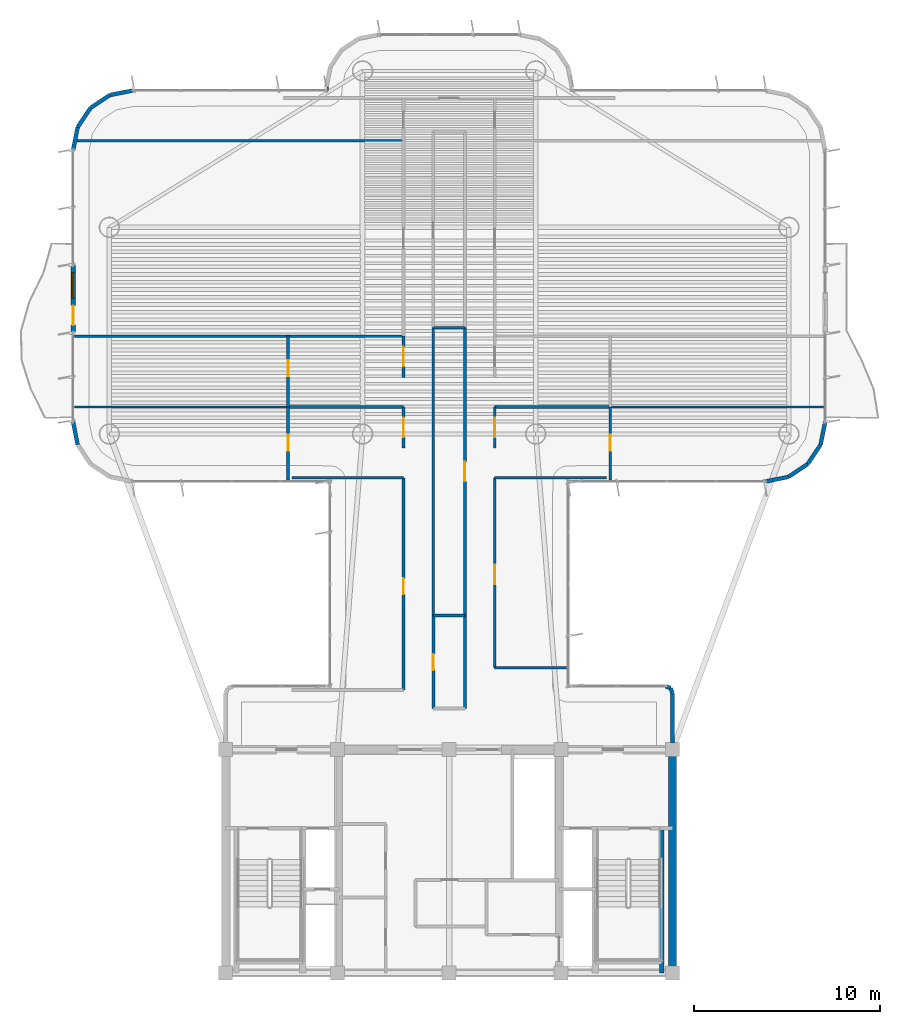
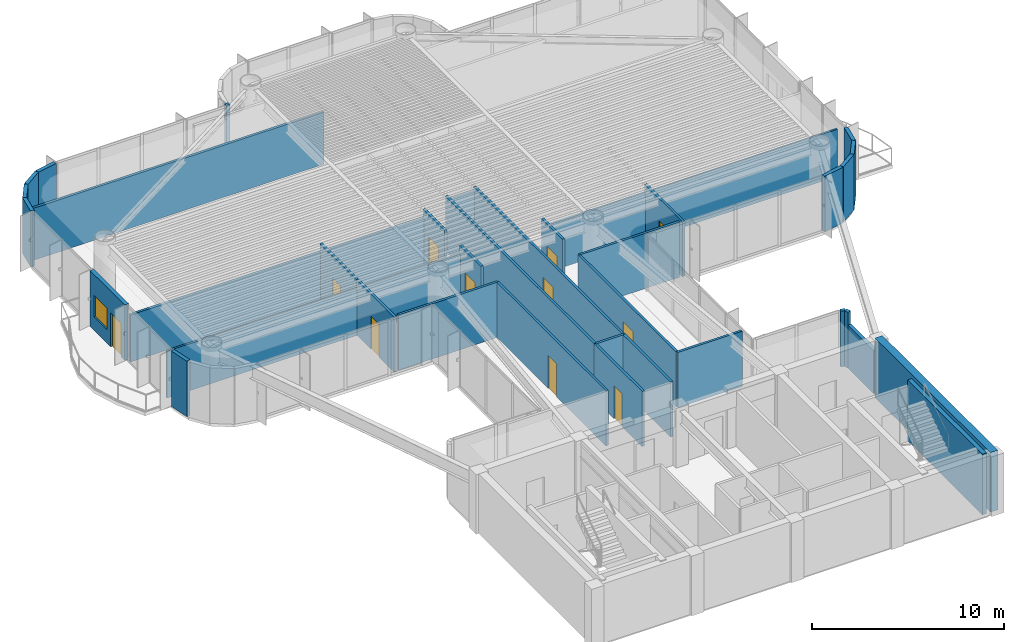
# One storey, part 10 of 14: 39 walls, 11 doors, 1 window, 12 openings.
"""IFC4 building model written with IfcOpenShell, lengths in metres."""

from ifc_helpers import new_model, si_unit, direction, frame, frame_2d, origin, origin_2d, place, context, subcontext, project, spatial, rectangle, extrude, source, transform, mapped, material, layer, layer_set, type_object, element, fill, save


model = new_model("IFC4")

# Units and contexts
model_context = context("Model", 3, precision=1e-05, world=origin(), true_north=direction((0.0, 1.0)))
body_context = subcontext(model_context, "Body", "Model", "MODEL_VIEW")
ifc_project = project(units=[si_unit("LENGTHUNIT", "METRE"), si_unit("AREAUNIT", "SQUARE_METRE"), si_unit("VOLUMEUNIT", "CUBIC_METRE"), si_unit("PLANEANGLEUNIT", "RADIAN"), si_unit("MASSUNIT", "GRAM", prefix="KILO")], contexts=[model_context])

# Site, building, storey
site_placement = place(None, origin())
site = spatial("IfcSite", under=ifc_project, at=site_placement, CompositionType="ELEMENT")
building_placement = place(site_placement, origin())
building = spatial("IfcBuilding", under=site, at=building_placement, Name="Brelvock Crest Care Tower", CompositionType="ELEMENT")
storey_placement = place(building_placement, frame((0.0, 0.0, 182.8798828125)))
storey = spatial("IfcBuildingStorey", under=building, at=storey_placement, Name="L46", CompositionType="ELEMENT", Elevation=182.8798828125)

# Walls
ifc_material_1 = material(Name="Concrete S65 (65 MPa)", Category="concrete")
ifc_layer_1 = layer(ifc_material_1, 0.449951171875, Name="WL-CS3")
ifc_layer_set_1 = layer_set([ifc_layer_1], Name="Concrete S65 (65 MPa)")
wall_type_1 = type_object("IfcWallType", Name="WL-CS3", PredefinedType="SHEAR", material=ifc_layer_set_1)
wall_1_placement = place(storey_placement, frame((48.0, 18.0, 0.0), z_axis=(0.0, 0.0, 1.0), x_axis=(0.0, -1.0, 0.0)))
element("IfcWall", 1, at=wall_1_placement, inside=storey, type_object=wall_type_1, Name="L46 Core East Shear Wall", PredefinedType="SHEAR", context=body_context, shape_type="SweptSolid", body=[
    extrude(rectangle(XDim=12.0, YDim=0.449951171875, at=frame_2d((6.0, 0.0))), origin(), (0.0, 0.0, 1.0), 3.780029296875),
])
ifc_material_2 = material(Name="Concrete S80 (80 MPa)", Category="concrete")
ifc_layer_2 = layer(ifc_material_2, 0.25, Name="WL-CS6")
ifc_layer_set_2 = layer_set([ifc_layer_2], Name="Concrete S80 (80 MPa)")
wall_type_2 = type_object("IfcWallType", Name="WL-CS6", PredefinedType="SHEAR", material=ifc_layer_set_2)
wall_2_placement = place(storey_placement, frame((47.419921875, 6.0, 0.0), z_axis=(0.0, 0.0, 1.0), x_axis=(0.0, 1.0, 0.0)))
element("IfcWall", 2, at=wall_2_placement, inside=storey, type_object=wall_type_2, Name="L46 Core Stair ST-2 East Shear Wall", PredefinedType="SHEAR", context=body_context, shape_type="SweptSolid", body=[
    extrude(rectangle(XDim=7.780029296875, YDim=0.25, at=frame_2d((3.89013671875, 0.0))), origin(), (0.0, 0.0, 1.0), 3.85009765625),
])

# Wall, openings, door, window
ifc_material_3 = material(Name="Precast concrete N40 (40 MPa)", Category="concrete")
ifc_layer_3 = layer(ifc_material_3, 0.239990234375, Name="WL-EX1")
ifc_layer_set_3 = layer_set([ifc_layer_3], Name="Precast concrete N40 (40 MPa)")
wall_type_3 = type_object("IfcWallType", Name="WL-EX1", PredefinedType="SOLIDWALL", material=ifc_layer_set_3)
wall_3_placement = place(storey_placement, frame((15.800048828125, 40.39990234375, 0.0), z_axis=(0.0, 0.0, 1.0), x_axis=(0.0, 1.0, 0.0)))
wall_3 = element("IfcWall", 3, at=wall_3_placement, inside=storey, type_object=wall_type_3, Name="L46 Exterior Spandrel Wall WL-BAL-L46-W", PredefinedType="SOLIDWALL", context=body_context, shape_type="SweptSolid", body=[
    extrude(rectangle(XDim=3.60009765625, YDim=0.239990234375, at=frame_2d((1.800048828125, 0.0))), origin(), (0.0, 0.0, 1.0), 3.530029296875),
])
opening_1_placement = place(wall_3_placement, frame((0.39990234375, 0.0, 0.0)))
opening_1 = element("IfcOpeningElement", 4, at=opening_1_placement, cuts=wall_3, Name="Opening BD-1", PredefinedType="OPENING", context=body_context, shape_type="SweptSolid", body=[
    extrude(rectangle(XDim=1.050048828125, YDim=2.14990234375, at=origin_2d()), frame((0.52490234375, 0.1298828125, 1.074951171875), z_axis=(0.0, -1.0, 0.0), x_axis=(1.0, 0.0, 0.0)), (0.0, 0.0, 1.0), 0.260009765625),
])
opening_2_placement = place(wall_3_placement, frame((1.85009765625, 0.0, 0.85009765625)))
opening_2 = element("IfcOpeningElement", 5, at=opening_2_placement, cuts=wall_3, Name="Opening W-01", PredefinedType="OPENING", context=body_context, shape_type="SweptSolid", body=[
    extrude(rectangle(XDim=1.35009765625, YDim=1.35009765625, at=origin_2d()), frame((0.675048828125, 0.1298828125, 0.675048828125), z_axis=(0.0, -1.0, 0.0), x_axis=(1.0, 0.0, 0.0)), (0.0, 0.0, 1.0), 0.260009765625),
])
ifc_material_4 = material(Name="Dark Glass Double Glazed Low-E", Category="glass")
door_type_1 = type_object("IfcDoorType", Name="DR-BAL1", OperationType="NOTDEFINED", PredefinedType="DOOR", material=ifc_material_4)
shared_shape_1 = source(origin(), body_context, "Body", "SweptSolid", [
    extrude(rectangle(XDim=1.050048828125, YDim=2.14990234375, at=origin_2d()), frame((0.52490234375, 0.02490234375, 1.074951171875), z_axis=(0.0, -1.0, 0.0), x_axis=(1.0, 0.0, 0.0)), (0.0, 0.0, 1.0), 0.050048828125),
])
door_1_placement = place(opening_1_placement, origin())
door_1 = element("IfcDoor", 6, at=door_1_placement, inside=storey, type_object=door_type_1, Name="L46 W Wave Balcony Glazed Door", OperationType="SINGLE_SWING_LEFT", OverallHeight=2.14990234375, OverallWidth=1.050048828125, PredefinedType="DOOR", context=body_context, shape_type="MappedRepresentation", body=[
    mapped(shared_shape_1, transform((0.0, 0.0, 0.0), x_axis=(1.0, 0.0, 0.0), y_axis=(0.0, 1.0, 0.0), z_axis=(0.0, 0.0, 1.0), scale=1.0)),
])
fill(opening_1, door_1)
window_type = type_object("IfcWindowType", Name="WN-EX1", PartitioningType="SINGLE_PANEL", PredefinedType="WINDOW", material=ifc_material_4)
shared_shape_2 = source(origin(), body_context, "Body", "SweptSolid", [
    extrude(rectangle(XDim=1.35009765625, YDim=1.35009765625, at=origin_2d()), frame((0.675048828125, 0.030029296875, 0.675048828125), z_axis=(0.0, -1.0, 0.0), x_axis=(1.0, 0.0, 0.0)), (0.0, 0.0, 1.0), 0.06005859375),
])
window_placement = place(opening_2_placement, origin())
window = element("IfcWindow", 7, at=window_placement, inside=storey, type_object=window_type, Name="L46 W Suite Casement Window", OverallHeight=1.35009765625, OverallWidth=1.35009765625, PartitioningType="SINGLE_PANEL", PredefinedType="WINDOW", context=body_context, shape_type="MappedRepresentation", body=[
    mapped(shared_shape_2, transform((0.0, 0.0, 0.0), x_axis=(1.0, 0.0, 0.0), y_axis=(0.0, 1.0, 0.0), z_axis=(0.0, 0.0, 1.0), scale=1.0)),
])
fill(opening_2, window)

# Walls
ifc_layer_4 = layer(ifc_material_3, 0.215087890625, Name="WL-EX2")
ifc_layer_set_4 = layer_set([ifc_layer_4], Name="Precast concrete N40 (40 MPa)")
wall_type_4 = type_object("IfcWallType", Name="WL-EX2", PredefinedType="SOLIDWALL", material=ifc_layer_set_4)
wall_4_placement = place(storey_placement, frame((47.8974609375, 21.297607421875, 0.0), z_axis=(0.0, 0.0, 1.0), x_axis=(0.382673670509, -0.923883575944, 0.0)))
element("IfcWall", 8, at=wall_4_placement, inside=storey, type_object=wall_type_4, Name="L46 Rounded Corner Wall 00", PredefinedType="SOLIDWALL", context=body_context, shape_type="SweptSolid", body=[
    extrude(rectangle(XDim=0.26806640625, YDim=0.215087890625, at=frame_2d((0.134033203125, 0.0))), origin(), (0.0, 0.0, 1.0), 3.530029296875),
])
wall_5_placement = place(storey_placement, frame((48.0, 21.050048828125, 0.0), z_axis=(0.0, 0.0, 1.0), x_axis=(0.0, -1.0, 0.0)))
element("IfcWall", 9, at=wall_5_placement, inside=storey, type_object=wall_type_4, Name="L46 Rounded Corner Wall 01", PredefinedType="SOLIDWALL", context=body_context, shape_type="SweptSolid", body=[
    extrude(rectangle(XDim=2.695068359375, YDim=0.215087890625, at=frame_2d((1.34765625, 0.0))), origin(), (0.0, 0.0, 1.0), 2.718017578125),
])
for number, where, z_axis, x_axis, name in (
    (10, (16.043701171875, 34.37548828125, 0.0), (0.0, 0.0, 1.0), (-0.195138390419, 0.980775717779, 0.0), "L46 Rounded Corner Wall 16"),
    (11, (15.800048828125, 50.199951171875, 0.0), (0.0, 0.0, 1.0), (0.195138390419, 0.980775717779, 0.0), "L46 Rounded Corner Wall 18"),
    (12, (16.043701171875, 51.424560546875, 0.0), (0.0, 0.0, 1.0), (0.555557312883, 0.831478245117, 0.0), "L46 Rounded Corner Wall 19"),
    (13, (16.7373046875, 52.462646484375, 0.0), (0.0, 0.0, 1.0), (0.831387912822, 0.555692485475, 0.0), "L46 Rounded Corner Wall 20"),
    (14, (17.775390625, 53.156494140625, 0.0), (0.0, 0.0, 1.0), (0.980813122964, 0.194950295773, 0.0), "L46 Rounded Corner Wall 21"),
):
    element("IfcWall", number, at=place(storey_placement, frame(where, z_axis=z_axis, x_axis=x_axis)), inside=storey, type_object=wall_type_4, Name=name, PredefinedType="SOLIDWALL", context=body_context, shape_type="SweptSolid", body=[
        extrude(rectangle(XDim=1.24853515625, YDim=0.215087890625, at=frame_2d((0.624267578125, 0.0))), origin(), (0.0, 0.0, 1.0), 3.530029296875),
    ])
wall_6_placement = place(storey_placement, frame((29.39990234375, 53.39990234375, 0.0), z_axis=(0.0, 0.0, 1.0), x_axis=(0.0, 1.0, 0.0)))
element("IfcWall", 15, at=wall_6_placement, inside=storey, type_object=wall_type_4, Name="L46 Rounded Corner Wall 23", PredefinedType="SOLIDWALL", context=body_context, shape_type="SweptSolid", body=[
    extrude(rectangle(XDim=0.2001953125, YDim=0.215087890625, at=frame_2d((0.10009765625, 0.0))), origin(), (0.0, 0.0, 1.0), 3.530029296875),
])
for number, where, z_axis, x_axis, name in (
    (16, (56.199951171875, 35.60009765625, 0.0), (0.0, 0.0, 1.0), (-0.195138390419, -0.980775717779, 0.0), "L46 Rounded Corner Wall 40"),
    (17, (55.956298828125, 34.37548828125, 0.0), (0.0, 0.0, 1.0), (-0.555557312883, -0.831478245117, 0.0), "L46 Rounded Corner Wall 41"),
    (18, (55.2626953125, 33.33740234375, 0.0), (0.0, 0.0, 1.0), (-0.831387912822, -0.555692485475, 0.0), "L46 Rounded Corner Wall 42"),
    (19, (54.224609375, 32.6435546875, 0.0), (0.0, 0.0, 1.0), (-0.980775717779, -0.195138390419, 0.0), "L46 Rounded Corner Wall 43"),
):
    element("IfcWall", number, at=place(storey_placement, frame(where, z_axis=z_axis, x_axis=x_axis)), inside=storey, type_object=wall_type_4, Name=name, PredefinedType="SOLIDWALL", context=body_context, shape_type="SweptSolid", body=[
        extrude(rectangle(XDim=1.24853515625, YDim=0.215087890625, at=frame_2d((0.624267578125, 0.0))), origin(), (0.0, 0.0, 1.0), 3.530029296875),
    ])
wall_7_placement = place(storey_placement, frame((47.64990234375, 21.39990234375, 0.0), z_axis=(0.0, 0.0, 1.0), x_axis=(0.924205486139, -0.381895560841, 0.0)))
element("IfcWall", 20, at=wall_7_placement, inside=storey, type_object=wall_type_4, Name="L46 Rounded Corner Wall 47", PredefinedType="SOLIDWALL", context=body_context, shape_type="SweptSolid", body=[
    extrude(rectangle(XDim=0.267822265625, YDim=0.215087890625, at=frame_2d((0.1337890625, 0.0))), origin(), (0.0, 0.0, 1.0), 3.530029296875),
])
ifc_material_5 = material(Name="Masonry Blockwork Acoustic Partition", Category="masonry")
ifc_layer_5 = layer(ifc_material_5, 0.14990234375, Name="WL-INT1")
ifc_layer_set_5 = layer_set([ifc_layer_5], Name="Masonry Blockwork Acoustic Partition")
wall_type_5 = type_object("IfcWallType", Name="WL-INT1", PredefinedType="PARTITIONING", material=ifc_layer_set_5)
wall_8_placement = place(storey_placement, frame((38.449951171875, 22.39990234375, 0.0), z_axis=(0.0, 0.0, 1.0), x_axis=(1.0, 0.0, 0.0)))
element("IfcWall", 21, at=wall_8_placement, inside=storey, type_object=wall_type_5, Name="L46 Interior Wall WL-BX-L46-THRE-S", PredefinedType="PARTITIONING", context=body_context, shape_type="SweptSolid", body=[
    extrude(rectangle(XDim=3.8701171875, YDim=0.14990234375, at=frame_2d((1.93505859375, 0.0))), origin(), (0.0, 0.0, 1.0), 3.5),
])
wall_9_placement = place(storey_placement, frame((27.55712890625, 32.60009765625, 0.0), z_axis=(0.0, 0.0, 1.0), x_axis=(1.0, 0.0, 0.0)))
element("IfcWall", 22, at=wall_9_placement, inside=storey, type_object=wall_type_5, Name="L46 Interior Wall WL-BX-L46-CS-WR1A-S", PredefinedType="PARTITIONING", context=body_context, shape_type="SweptSolid", body=[
    extrude(rectangle(XDim=5.992919921875, YDim=0.14990234375, at=frame_2d((2.99658203125, 0.0))), origin(), (0.0, 0.0, 1.0), 3.5),
])
wall_10_placement = place(storey_placement, frame((38.449951171875, 32.60009765625, 0.0), z_axis=(0.0, 0.0, 1.0), x_axis=(1.0, 0.0, 0.0)))
element("IfcWall", 23, at=wall_10_placement, inside=storey, type_object=wall_type_5, Name="L46 Interior Wall WL-BX-L46-CS-ER1A-S", PredefinedType="PARTITIONING", context=body_context, shape_type="SweptSolid", body=[
    extrude(rectangle(XDim=5.993408203125, YDim=0.14990234375, at=frame_2d((2.99658203125, 0.0))), origin(), (0.0, 0.0, 1.0), 3.5),
])
for number, where, z_axis, x_axis, name in (
    (24, (27.35009765625, 36.40087890625, 0.0), (0.0, 0.0, 1.0), (1.0, 0.0, 0.0), "L46 Interior Wall WL-BX-L46-CS-WR1A-N"),
    (25, (38.449951171875, 36.40087890625, 0.0), (0.0, 0.0, 1.0), (1.0, 0.0, 0.0), "L46 Interior Wall WL-BX-L46-CS-ER1A-N"),
):
    element("IfcWall", number, at=place(storey_placement, frame(where, z_axis=z_axis, x_axis=x_axis)), inside=storey, type_object=wall_type_5, Name=name, PredefinedType="PARTITIONING", context=body_context, shape_type="SweptSolid", body=[
        extrude(rectangle(XDim=6.199951171875, YDim=0.14990234375, at=frame_2d((3.10009765625, 0.0))), origin(), (0.0, 0.0, 1.0), 2.982177734375),
    ])
wall_11_placement = place(storey_placement, frame((15.8798828125, 40.201904296875, 0.0), z_axis=(0.0, 0.0, 1.0), x_axis=(1.0, 0.0, 0.0)))
element("IfcWall", 26, at=wall_11_placement, inside=storey, type_object=wall_type_5, Name="L46 Interior Wall WL-BX-L46-WRC-S", PredefinedType="PARTITIONING", context=body_context, shape_type="SweptSolid", body=[
    extrude(rectangle(XDim=17.670166015625, YDim=0.14990234375, at=frame_2d((8.8349609375, 0.0))), origin(), (0.0, 0.0, 1.0), 2.982177734375),
])
wall_12_placement = place(storey_placement, frame((35.14990234375, 40.659912109375, 0.0), z_axis=(0.0, 0.0, 1.0), x_axis=(1.0, 0.0, 0.0)))
element("IfcWall", 27, at=wall_12_placement, inside=storey, type_object=wall_type_5, Name="L46 Interior Wall WL-BX-L46-ISKT-S", PredefinedType="PARTITIONING", context=body_context, shape_type="SweptSolid", body=[
    extrude(rectangle(XDim=1.7001953125, YDim=0.14990234375, at=frame_2d((0.85009765625, 0.0))), origin(), (0.0, 0.0, 1.0), 3.259033203125),
])
wall_13_placement = place(storey_placement, frame((15.98095703125, 50.699951171875, 0.0), z_axis=(0.0, 0.0, 1.0), x_axis=(1.0, 0.0, 0.0)))
element("IfcWall", 28, at=wall_13_placement, inside=storey, type_object=wall_type_5, Name="L46 Interior Wall WL-BX-L46-NALW-S", PredefinedType="PARTITIONING", context=body_context, shape_type="SweptSolid", body=[
    extrude(rectangle(XDim=17.569091796875, YDim=0.14990234375, at=frame_2d((8.78466796875, 0.0))), origin(), (0.0, 0.0, 1.0), 3.30810546875),
])

# Wall, opening, door
wall_14_placement = place(storey_placement, frame((27.35009765625, 32.47998046875, 0.0), z_axis=(0.0, 0.0, 1.0), x_axis=(0.0, 1.0, 0.0)))
wall_14 = element("IfcWall", 29, at=wall_14_placement, inside=storey, type_object=wall_type_5, Name="L46 Interior Wall WL-RM-L46-WR1AS", PredefinedType="PARTITIONING", context=body_context, shape_type="SweptSolid", body=[
    extrude(rectangle(XDim=3.9208984375, YDim=0.14990234375, at=frame_2d((1.96044921875, 0.0))), origin(), (0.0, 0.0, 1.0), 3.5),
])
opening_3_placement = place(wall_14_placement, frame((1.56005859375, 0.0, 0.0)))
opening_3 = element("IfcOpeningElement", 30, at=opening_3_placement, cuts=wall_14, Name="Opening ID-1", PredefinedType="OPENING", context=body_context, shape_type="SweptSolid", body=[
    extrude(rectangle(XDim=0.860107421875, YDim=2.10009765625, at=origin_2d()), frame((0.43017578125, 0.0849609375, 1.050048828125), z_axis=(0.0, -1.0, 0.0), x_axis=(1.0, 0.0, 0.0)), (0.0, 0.0, 1.0), 0.169921875),
])
ifc_material_6 = material(Name="Engineered Hardwood Timber", Category="wood")
door_type_2 = type_object("IfcDoorType", Name="DR-INT1", OperationType="NOTDEFINED", PredefinedType="DOOR", material=ifc_material_6)
shared_shape_3 = source(origin(), body_context, "Body", "SweptSolid", [
    extrude(rectangle(XDim=0.860107421875, YDim=2.10009765625, at=origin_2d()), frame((0.43017578125, 0.02490234375, 1.050048828125), z_axis=(0.0, -1.0, 0.0), x_axis=(1.0, 0.0, 0.0)), (0.0, 0.0, 1.0), 0.050048828125),
])
door_2_placement = place(opening_3_placement, origin())
door_2 = element("IfcDoor", 31, at=door_2_placement, inside=storey, type_object=door_type_2, Name="L46 Rehab Recovery Mobility Store Door WR1AS", OperationType="SINGLE_SWING_LEFT", OverallHeight=2.10009765625, OverallWidth=0.860107421875, PredefinedType="DOOR", context=body_context, shape_type="MappedRepresentation", body=[
    mapped(shared_shape_3, transform((0.0, 0.0, 0.0), x_axis=(1.0, 0.0, 0.0), y_axis=(0.0, 1.0, 0.0), z_axis=(0.0, 0.0, 1.0), scale=1.0)),
])
fill(opening_3, door_2)

wall_15_placement = place(storey_placement, frame((27.35009765625, 36.40087890625, 0.0), z_axis=(0.0, 0.0, 1.0), x_axis=(0.0, 1.0, 0.0)))
wall_15 = element("IfcWall", 32, at=wall_15_placement, inside=storey, type_object=wall_type_5, Name="L46 Interior Wall WL-RM-L46-WR1BS", PredefinedType="PARTITIONING", context=body_context, shape_type="SweptSolid", body=[
    extrude(rectangle(XDim=3.801025390625, YDim=0.14990234375, at=frame_2d((1.900390625, 0.0))), origin(), (0.0, 0.0, 1.0), 3.5),
])
opening_4_placement = place(wall_15_placement, frame((1.638916015625, 0.0, 0.0)))
opening_4 = element("IfcOpeningElement", 33, at=opening_4_placement, cuts=wall_15, Name="Opening ID-1", PredefinedType="OPENING", context=body_context, shape_type="SweptSolid", body=[
    extrude(rectangle(XDim=0.860107421875, YDim=2.10009765625, at=origin_2d()), frame((0.43017578125, 0.0849609375, 1.050048828125), z_axis=(0.0, -1.0, 0.0), x_axis=(1.0, 0.0, 0.0)), (0.0, 0.0, 1.0), 0.169921875),
])
door_3_placement = place(opening_4_placement, origin())
door_3 = element("IfcDoor", 34, at=door_3_placement, inside=storey, type_object=door_type_2, Name="L46 Rehab Recovery Mobility Store Door WR1BS", OperationType="SINGLE_SWING_LEFT", OverallHeight=2.10009765625, OverallWidth=0.860107421875, PredefinedType="DOOR", context=body_context, shape_type="MappedRepresentation", body=[
    mapped(shared_shape_3, transform((0.0, 0.0, 0.0), x_axis=(1.0, 0.0, 0.0), y_axis=(0.0, 1.0, 0.0), z_axis=(0.0, 0.0, 1.0), scale=1.0)),
])
fill(opening_4, door_3)

wall_16_placement = place(storey_placement, frame((33.550048828125, 21.199951171875, 0.0), z_axis=(0.0, 0.0, 1.0), x_axis=(0.0, 1.0, 0.0)))
wall_16 = element("IfcWall", 35, at=wall_16_placement, inside=storey, type_object=wall_type_5, Name="L46 Interior Wall WL-RM-L46-THRW", PredefinedType="PARTITIONING", context=body_context, shape_type="SweptSolid", body=[
    extrude(rectangle(XDim=11.400146484375, YDim=0.14990234375, at=frame_2d((5.7001953125, 0.0))), origin(), (0.0, 0.0, 1.0), 3.5),
])
opening_5_placement = place(wall_16_placement, frame((5.139892578125, 0.0, 0.0)))
opening_5 = element("IfcOpeningElement", 36, at=opening_5_placement, cuts=wall_16, Name="Opening ID-1", PredefinedType="OPENING", context=body_context, shape_type="SweptSolid", body=[
    extrude(rectangle(XDim=0.860107421875, YDim=2.10009765625, at=origin_2d()), frame((0.43017578125, 0.0849609375, 1.050048828125), z_axis=(0.0, -1.0, 0.0), x_axis=(1.0, 0.0, 0.0)), (0.0, 0.0, 1.0), 0.169921875),
])
door_4_placement = place(opening_5_placement, origin())
door_4 = element("IfcDoor", 37, at=door_4_placement, inside=storey, type_object=door_type_2, Name="L46 Quiet Family Consultation Room Door THRW", OperationType="SINGLE_SWING_LEFT", OverallHeight=2.10009765625, OverallWidth=0.860107421875, PredefinedType="DOOR", context=body_context, shape_type="MappedRepresentation", body=[
    mapped(shared_shape_3, transform((0.0, 0.0, 0.0), x_axis=(1.0, 0.0, 0.0), y_axis=(0.0, 1.0, 0.0), z_axis=(0.0, 0.0, 1.0), scale=1.0)),
])
fill(opening_5, door_4)

wall_17_placement = place(storey_placement, frame((33.550048828125, 34.196044921875, 0.0), z_axis=(0.0, 0.0, 1.0), x_axis=(0.0, 1.0, 0.0)))
wall_17 = element("IfcWall", 38, at=wall_17_placement, inside=storey, type_object=wall_type_5, Name="L46 Interior Wall WL-CENT-L46-WR1A", PredefinedType="PARTITIONING", context=body_context, shape_type="SweptSolid", body=[
    extrude(rectangle(XDim=2.204833984375, YDim=0.14990234375, at=frame_2d((1.1025390625, 0.0))), origin(), (0.0, 0.0, 1.0), 3.5),
])
opening_6_placement = place(wall_17_placement, frame((0.5830078125, 0.0, 0.0)))
opening_6 = element("IfcOpeningElement", 39, at=opening_6_placement, cuts=wall_17, Name="Opening CD-1", PredefinedType="OPENING", context=body_context, shape_type="SweptSolid", body=[
    extrude(rectangle(XDim=1.050048828125, YDim=2.10009765625, at=origin_2d()), frame((0.52490234375, 0.0849609375, 1.050048828125), z_axis=(0.0, -1.0, 0.0), x_axis=(1.0, 0.0, 0.0)), (0.0, 0.0, 1.0), 0.169921875),
])
door_type_3 = type_object("IfcDoorType", Name="DR-CARE1", OperationType="NOTDEFINED", PredefinedType="DOOR", material=ifc_material_6)
shared_shape_4 = source(origin(), body_context, "Body", "SweptSolid", [
    extrude(rectangle(XDim=1.050048828125, YDim=2.10009765625, at=origin_2d()), frame((0.52490234375, 0.02490234375, 1.050048828125), z_axis=(0.0, -1.0, 0.0), x_axis=(1.0, 0.0, 0.0)), (0.0, 0.0, 1.0), 0.050048828125),
])
door_5_placement = place(opening_6_placement, origin())
door_5 = element("IfcDoor", 40, at=door_5_placement, inside=storey, type_object=door_type_3, Name="L46 Care Suite Door WR1A", OperationType="SINGLE_SWING_LEFT", OverallHeight=2.10009765625, OverallWidth=1.050048828125, PredefinedType="DOOR", context=body_context, shape_type="MappedRepresentation", body=[
    mapped(shared_shape_4, transform((0.0, 0.0, 0.0), x_axis=(1.0, 0.0, 0.0), y_axis=(0.0, 1.0, 0.0), z_axis=(0.0, 0.0, 1.0), scale=1.0)),
])
fill(opening_6, door_5)

wall_18_placement = place(storey_placement, frame((33.550048828125, 37.9970703125, 0.0), z_axis=(0.0, 0.0, 1.0), x_axis=(0.0, 1.0, 0.0)))
wall_18 = element("IfcWall", 41, at=wall_18_placement, inside=storey, type_object=wall_type_5, Name="L46 Interior Wall WL-CENT-L46-WR1B", PredefinedType="PARTITIONING", context=body_context, shape_type="SweptSolid", body=[
    extrude(rectangle(XDim=2.204833984375, YDim=0.14990234375, at=frame_2d((1.1025390625, 0.0))), origin(), (0.0, 0.0, 1.0), 3.5),
])
opening_7_placement = place(wall_18_placement, frame((0.58203125, 0.0, 0.0)))
opening_7 = element("IfcOpeningElement", 42, at=opening_7_placement, cuts=wall_18, Name="Opening CD-1", PredefinedType="OPENING", context=body_context, shape_type="SweptSolid", body=[
    extrude(rectangle(XDim=1.050048828125, YDim=2.10009765625, at=origin_2d()), frame((0.52490234375, 0.0849609375, 1.050048828125), z_axis=(0.0, -1.0, 0.0), x_axis=(1.0, 0.0, 0.0)), (0.0, 0.0, 1.0), 0.169921875),
])
door_6_placement = place(opening_7_placement, origin())
door_6 = element("IfcDoor", 43, at=door_6_placement, inside=storey, type_object=door_type_3, Name="L46 Care Suite Door WR1B", OperationType="SINGLE_SWING_LEFT", OverallHeight=2.10009765625, OverallWidth=1.050048828125, PredefinedType="DOOR", context=body_context, shape_type="MappedRepresentation", body=[
    mapped(shared_shape_4, transform((0.0, 0.0, 0.0), x_axis=(1.0, 0.0, 0.0), y_axis=(0.0, 1.0, 0.0), z_axis=(0.0, 0.0, 1.0), scale=1.0)),
])
fill(opening_7, door_6)

# Wall
wall_19_placement = place(storey_placement, frame((35.14990234375, 25.199951171875, 0.0), z_axis=(0.0, 0.0, 1.0), x_axis=(0.0, 1.0, 0.0)))
element("IfcWall", 44, at=wall_19_placement, inside=storey, type_object=wall_type_5, Name="L46 Interior Wall WL-BX-L46-ISNS-W", PredefinedType="PARTITIONING", context=body_context, shape_type="SweptSolid", body=[
    extrude(rectangle(XDim=15.4599609375, YDim=0.14990234375, at=frame_2d((7.72998046875, 0.0))), origin(), (0.0, 0.0, 1.0), 3.5),
])

# Wall, opening, door
wall_20_placement = place(storey_placement, frame((36.85009765625, 25.199951171875, 0.0), z_axis=(0.0, 0.0, 1.0), x_axis=(0.0, 1.0, 0.0)))
wall_20 = element("IfcWall", 45, at=wall_20_placement, inside=storey, type_object=wall_type_5, Name="L46 Interior Wall WL-RM-L46-ISNS", PredefinedType="PARTITIONING", context=body_context, shape_type="SweptSolid", body=[
    extrude(rectangle(XDim=15.4599609375, YDim=0.14990234375, at=frame_2d((7.72998046875, 0.0))), origin(), (0.0, 0.0, 1.0), 3.5),
])
opening_8_placement = place(wall_20_placement, frame((7.205078125, 0.0, 0.0)))
opening_8 = element("IfcOpeningElement", 46, at=opening_8_placement, cuts=wall_20, Name="Opening CLD-1", PredefinedType="OPENING", context=body_context, shape_type="SweptSolid", body=[
    extrude(rectangle(XDim=1.050048828125, YDim=2.10009765625, at=origin_2d()), frame((0.52490234375, 0.0849609375, 1.050048828125), z_axis=(0.0, -1.0, 0.0), x_axis=(1.0, 0.0, 0.0)), (0.0, 0.0, 1.0), 0.169921875),
])
door_type_4 = type_object("IfcDoorType", Name="DR-CLN1", OperationType="NOTDEFINED", PredefinedType="DOOR", material=ifc_material_6)
shared_shape_5 = source(origin(), body_context, "Body", "SweptSolid", [
    extrude(rectangle(XDim=1.050048828125, YDim=2.10009765625, at=origin_2d()), frame((0.52490234375, 0.02490234375, 1.050048828125), z_axis=(0.0, -1.0, 0.0), x_axis=(1.0, 0.0, 0.0)), (0.0, 0.0, 1.0), 0.050048828125),
])
door_7_placement = place(opening_8_placement, origin())
door_7 = element("IfcDoor", 47, at=door_7_placement, inside=storey, type_object=door_type_4, Name="L46 Care Concierge and Triage Station Door ISNS", OperationType="SINGLE_SWING_LEFT", OverallHeight=2.10009765625, OverallWidth=1.050048828125, PredefinedType="DOOR", context=body_context, shape_type="MappedRepresentation", body=[
    mapped(shared_shape_5, transform((0.0, 0.0, 0.0), x_axis=(1.0, 0.0, 0.0), y_axis=(0.0, 1.0, 0.0), z_axis=(0.0, 0.0, 1.0), scale=1.0)),
])
fill(opening_8, door_7)

wall_21_placement = place(storey_placement, frame((38.449951171875, 22.39990234375, 0.0), z_axis=(0.0, 0.0, 1.0), x_axis=(0.0, 1.0, 0.0)))
wall_21 = element("IfcWall", 48, at=wall_21_placement, inside=storey, type_object=wall_type_5, Name="L46 Interior Wall WL-RM-L46-THRE", PredefinedType="PARTITIONING", context=body_context, shape_type="SweptSolid", body=[
    extrude(rectangle(XDim=10.2001953125, YDim=0.14990234375, at=frame_2d((5.10009765625, 0.0))), origin(), (0.0, 0.0, 1.0), 3.5),
])
opening_9_placement = place(wall_21_placement, frame((4.47509765625, 0.0, 0.0)))
opening_9 = element("IfcOpeningElement", 49, at=opening_9_placement, cuts=wall_21, Name="Opening CLD-1", PredefinedType="OPENING", context=body_context, shape_type="SweptSolid", body=[
    extrude(rectangle(XDim=1.050048828125, YDim=2.10009765625, at=origin_2d()), frame((0.52490234375, 0.0849609375, 1.050048828125), z_axis=(0.0, -1.0, 0.0), x_axis=(1.0, 0.0, 0.0)), (0.0, 0.0, 1.0), 0.169921875),
])
door_8_placement = place(opening_9_placement, origin())
door_8 = element("IfcDoor", 50, at=door_8_placement, inside=storey, type_object=door_type_4, Name="L46 Allied Health Therapy Room Door THRE", OperationType="SINGLE_SWING_LEFT", OverallHeight=2.10009765625, OverallWidth=1.050048828125, PredefinedType="DOOR", context=body_context, shape_type="MappedRepresentation", body=[
    mapped(shared_shape_5, transform((0.0, 0.0, 0.0), x_axis=(1.0, 0.0, 0.0), y_axis=(0.0, 1.0, 0.0), z_axis=(0.0, 0.0, 1.0), scale=1.0)),
])
fill(opening_9, door_8)

wall_22_placement = place(storey_placement, frame((38.449951171875, 34.196044921875, 0.0), z_axis=(0.0, 0.0, 1.0), x_axis=(0.0, 1.0, 0.0)))
wall_22 = element("IfcWall", 51, at=wall_22_placement, inside=storey, type_object=wall_type_5, Name="L46 Interior Wall WL-CENT-L46-ER1A", PredefinedType="PARTITIONING", context=body_context, shape_type="SweptSolid", body=[
    extrude(rectangle(XDim=2.204833984375, YDim=0.14990234375, at=frame_2d((1.1025390625, 0.0))), origin(), (0.0, 0.0, 1.0), 3.5),
])
opening_10_placement = place(wall_22_placement, frame((0.5830078125, 0.0, 0.0)))
opening_10 = element("IfcOpeningElement", 52, at=opening_10_placement, cuts=wall_22, Name="Opening CD-1", PredefinedType="OPENING", context=body_context, shape_type="SweptSolid", body=[
    extrude(rectangle(XDim=1.050048828125, YDim=2.10009765625, at=origin_2d()), frame((0.52490234375, 0.0849609375, 1.050048828125), z_axis=(0.0, -1.0, 0.0), x_axis=(1.0, 0.0, 0.0)), (0.0, 0.0, 1.0), 0.169921875),
])
door_9_placement = place(opening_10_placement, origin())
door_9 = element("IfcDoor", 53, at=door_9_placement, inside=storey, type_object=door_type_3, Name="L46 Care Suite Door ER1A", OperationType="SINGLE_SWING_LEFT", OverallHeight=2.10009765625, OverallWidth=1.050048828125, PredefinedType="DOOR", context=body_context, shape_type="MappedRepresentation", body=[
    mapped(shared_shape_4, transform((0.0, 0.0, 0.0), x_axis=(1.0, 0.0, 0.0), y_axis=(0.0, 1.0, 0.0), z_axis=(0.0, 0.0, 1.0), scale=1.0)),
])
fill(opening_10, door_9)

wall_23_placement = place(storey_placement, frame((44.64990234375, 32.47998046875, 0.0), z_axis=(0.0, 0.0, 1.0), x_axis=(0.0, 1.0, 0.0)))
wall_23 = element("IfcWall", 54, at=wall_23_placement, inside=storey, type_object=wall_type_5, Name="L46 Interior Wall WL-RM-L46-ER1AS", PredefinedType="PARTITIONING", context=body_context, shape_type="SweptSolid", body=[
    extrude(rectangle(XDim=3.9208984375, YDim=0.14990234375, at=frame_2d((1.96044921875, 0.0))), origin(), (0.0, 0.0, 1.0), 3.5),
])
opening_11_placement = place(wall_23_placement, frame((1.56005859375, 0.0, 0.0)))
opening_11 = element("IfcOpeningElement", 55, at=opening_11_placement, cuts=wall_23, Name="Opening ID-1", PredefinedType="OPENING", context=body_context, shape_type="SweptSolid", body=[
    extrude(rectangle(XDim=0.860107421875, YDim=2.10009765625, at=origin_2d()), frame((0.43017578125, 0.0849609375, 1.050048828125), z_axis=(0.0, -1.0, 0.0), x_axis=(1.0, 0.0, 0.0)), (0.0, 0.0, 1.0), 0.169921875),
])
door_10_placement = place(opening_11_placement, origin())
door_10 = element("IfcDoor", 56, at=door_10_placement, inside=storey, type_object=door_type_2, Name="L46 Rehab Recovery Mobility Store Door ER1AS", OperationType="SINGLE_SWING_LEFT", OverallHeight=2.10009765625, OverallWidth=0.860107421875, PredefinedType="DOOR", context=body_context, shape_type="MappedRepresentation", body=[
    mapped(shared_shape_3, transform((0.0, 0.0, 0.0), x_axis=(1.0, 0.0, 0.0), y_axis=(0.0, 1.0, 0.0), z_axis=(0.0, 0.0, 1.0), scale=1.0)),
])
fill(opening_11, door_10)

# Walls
ifc_material_7 = material(Name="Gypsum Plasterboard Partition", Category="gypsum")
ifc_layer_6 = layer(ifc_material_7, 0.1201171875, Name="WL-INT2")
ifc_layer_set_6 = layer_set([ifc_layer_6], Name="Gypsum Plasterboard Partition")
wall_type_6 = type_object("IfcWallType", Name="WL-INT2", PredefinedType="PARTITIONING", material=ifc_layer_set_6)
for number, where, z_axis, x_axis, name in (
    (57, (15.8798828125, 36.40087890625, 0.0), (0.0, 0.0, 1.0), (1.0, 0.0, 0.0), "L46 Interior Wall WL-BX-L46-WR1AS-N"),
    (58, (44.64990234375, 36.40087890625, 0.0), (0.0, 0.0, 1.0), (1.0, 0.0, 0.0), "L46 Interior Wall WL-BX-L46-ER1AS-N"),
):
    element("IfcWall", number, at=place(storey_placement, frame(where, z_axis=z_axis, x_axis=x_axis)), inside=storey, type_object=wall_type_6, Name=name, PredefinedType="PARTITIONING", context=body_context, shape_type="SweptSolid", body=[
        extrude(rectangle(XDim=11.47021484375, YDim=0.1201171875, at=frame_2d((5.735107421875, 0.0))), origin(), (0.0, 0.0, 1.0), 2.982177734375),
    ])
ifc_layer_7 = layer(ifc_material_7, 0.159912109375, Name="WL-PLM1")
ifc_layer_set_7 = layer_set([ifc_layer_7], Name="Gypsum Plasterboard Partition")
wall_type_7 = type_object("IfcWallType", Name="WL-PLM1", PredefinedType="PLUMBINGWALL", material=ifc_layer_set_7)
wall_24_placement = place(storey_placement, frame((35.14990234375, 25.199951171875, 0.0), z_axis=(0.0, 0.0, 1.0), x_axis=(1.0, 0.0, 0.0)))
element("IfcWall", 59, at=wall_24_placement, inside=storey, type_object=wall_type_7, Name="L46 Interior Wall WL-BX-L46-ISNS-S", PredefinedType="PLUMBINGWALL", context=body_context, shape_type="SweptSolid", body=[
    extrude(rectangle(XDim=1.7001953125, YDim=0.159912109375, at=frame_2d((0.85009765625, 0.0))), origin(), (0.0, 0.0, 1.0), 3.5),
])

# Wall, opening, door
wall_25_placement = place(storey_placement, frame((35.14990234375, 20.199951171875, 0.0), z_axis=(0.0, 0.0, 1.0), x_axis=(0.0, 1.0, 0.0)))
wall_25 = element("IfcWall", 60, at=wall_25_placement, inside=storey, type_object=wall_type_7, Name="L46 Interior Wall WL-RM-L46-ISWC", PredefinedType="PLUMBINGWALL", context=body_context, shape_type="SweptSolid", body=[
    extrude(rectangle(XDim=5.0, YDim=0.159912109375, at=frame_2d((2.5, 0.0))), origin(), (0.0, 0.0, 1.0), 3.5),
])
opening_12_placement = place(wall_25_placement, frame((2.070068359375, 0.0, 0.0)))
opening_12 = element("IfcOpeningElement", 61, at=opening_12_placement, cuts=wall_25, Name="Opening WD-1", PredefinedType="OPENING", context=body_context, shape_type="SweptSolid", body=[
    extrude(rectangle(XDim=0.860107421875, YDim=2.10009765625, at=origin_2d()), frame((0.43017578125, 0.08984375, 1.050048828125), z_axis=(0.0, -1.0, 0.0), x_axis=(1.0, 0.0, 0.0)), (0.0, 0.0, 1.0), 0.179931640625),
])
door_type_5 = type_object("IfcDoorType", Name="DR-WC1", OperationType="NOTDEFINED", PredefinedType="DOOR", material=ifc_material_6)
shared_shape_6 = source(origin(), body_context, "Body", "SweptSolid", [
    extrude(rectangle(XDim=0.860107421875, YDim=2.10009765625, at=origin_2d()), frame((0.43017578125, 0.02490234375, 1.050048828125), z_axis=(0.0, -1.0, 0.0), x_axis=(1.0, 0.0, 0.0)), (0.0, 0.0, 1.0), 0.050048828125),
])
door_11_placement = place(opening_12_placement, origin())
door_11 = element("IfcDoor", 62, at=door_11_placement, inside=storey, type_object=door_type_5, Name="L46 High-Zone Accessible WC Door ISWC", OperationType="SINGLE_SWING_LEFT", OverallHeight=2.10009765625, OverallWidth=0.860107421875, PredefinedType="DOOR", context=body_context, shape_type="MappedRepresentation", body=[
    mapped(shared_shape_6, transform((0.0, 0.0, 0.0), x_axis=(1.0, 0.0, 0.0), y_axis=(0.0, 1.0, 0.0), z_axis=(0.0, 0.0, 1.0), scale=1.0)),
])
fill(opening_12, door_11)

# Wall
wall_26_placement = place(storey_placement, frame((36.85009765625, 20.199951171875, 0.0), z_axis=(0.0, 0.0, 1.0), x_axis=(0.0, 1.0, 0.0)))
element("IfcWall", 63, at=wall_26_placement, inside=storey, type_object=wall_type_7, Name="L46 Interior Wall WL-BX-L46-ISWC-E", PredefinedType="PLUMBINGWALL", context=body_context, shape_type="SweptSolid", body=[
    extrude(rectangle(XDim=5.0, YDim=0.159912109375, at=frame_2d((2.5, 0.0))), origin(), (0.0, 0.0, 1.0), 3.5),
])

save(model, "model.ifc")
